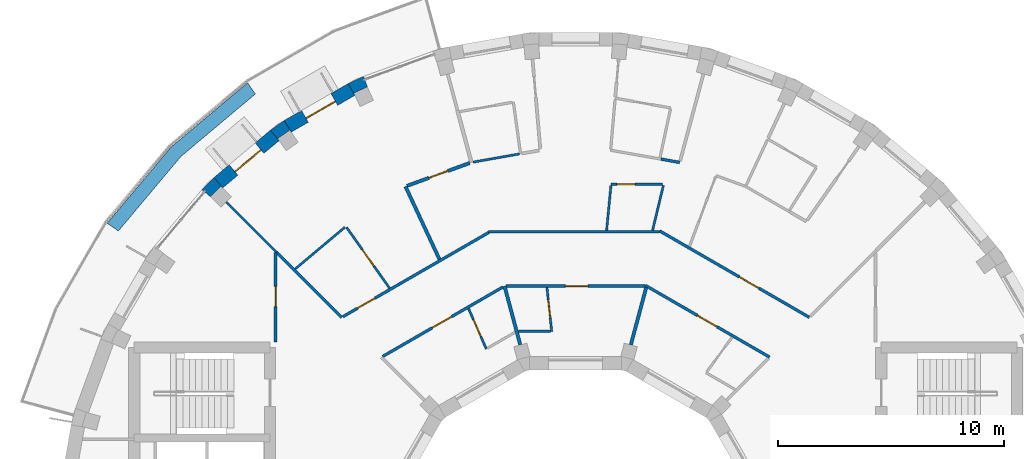
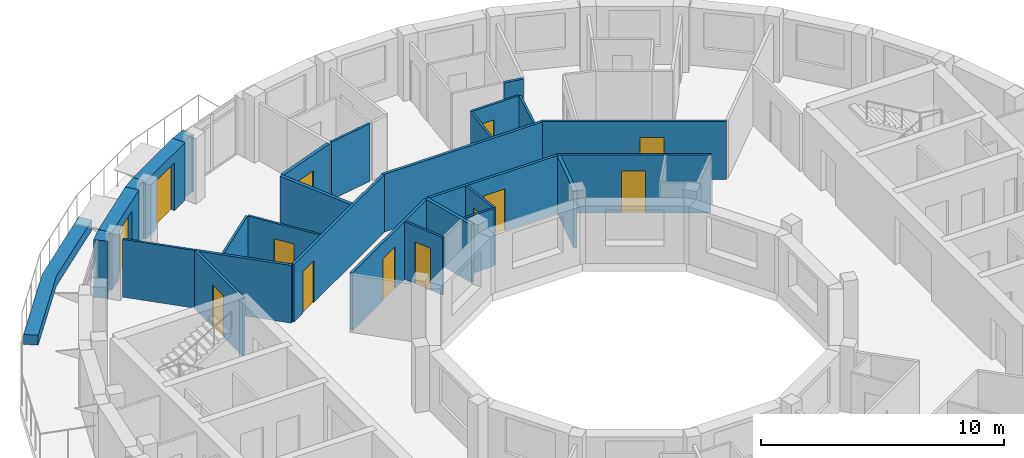
# One storey, part 9 of 12: 29 walls, 13 doors, 13 openings.
"""IFC4 building model written with IfcOpenShell, lengths in metres."""

import ifcopenshell
import ifcopenshell.guid

model = None  # the IFC model being written
_history = None  # IfcOwnerHistory: only IFC2X3 demands one
_inside = {}  # id of a spatial element -> (the spatial element, [elements in it])
_under = {}  # id of a project, library or spatial element -> (it, [spatial elements below it])
_declared = {}  # id of a project -> (the project, [libraries it declares])
_typed = {}  # id of a type object -> (the type object, [elements of that type])
_made_of = {}  # id of a material, layer set ... -> (it, [elements and type objects made of it])


def new_model(schema):
    """Start an empty IFC model of exactly this schema.

    Asked for "IFC4X3", IfcOpenShell would pick the latest addendum, in which some entities
    have other attributes; the version numbers below select the first issue.
    IFC2X3 requires an IfcOwnerHistory on every rooted entity: one is made here for all.
    """
    global model, _history
    if schema == "IFC4X3":
        model = ifcopenshell.file(schema_version=(4, 3, 0, 0))
    else:
        model = ifcopenshell.file(schema=schema)
    _inside.clear()
    _under.clear()
    _declared.clear()
    _typed.clear()
    _made_of.clear()
    _history = None
    if model.schema == "IFC2X3":
        org = make("IfcOrganization", Name="unknown")
        user = make(
            "IfcPersonAndOrganization",
            ThePerson=make("IfcPerson", FamilyName="unknown"),
            TheOrganization=org,
        )
        app = make(
            "IfcApplication",
            ApplicationDeveloper=org,
            Version="unknown",
            ApplicationFullName="unknown",
            ApplicationIdentifier="unknown",
        )
        _history = make(
            "IfcOwnerHistory",
            OwningUser=user,
            OwningApplication=app,
            ChangeAction="ADDED",
            CreationDate=0,
        )
    return model


def make(cls, **values):
    """One entity of the class cls with the attributes given. An attribute that is None is left unset."""
    return model.create_entity(
        cls, **{name: value for name, value in values.items() if value is not None}
    )


def rooted(cls, **values):
    """An entity with a GlobalId (a new one), such as an element, a storey or a relation."""
    return make(cls, GlobalId=ifcopenshell.guid.new(), OwnerHistory=_history, **values)


def si_unit(unit_type, name, prefix=None):
    """IfcSIUnit, for example si_unit("LENGTHUNIT", "METRE", prefix="MILLI")."""
    return make("IfcSIUnit", UnitType=unit_type, Prefix=prefix, Name=name)


def assignment(units):
    """IfcUnitAssignment: the units of a project."""
    return None if units is None else make("IfcUnitAssignment", Units=units)


def point(xyz):
    """IfcCartesianPoint."""
    return None if xyz is None else make("IfcCartesianPoint", Coordinates=xyz)


def direction(xyz):
    """IfcDirection."""
    return None if xyz is None else make("IfcDirection", DirectionRatios=xyz)


def frame(location, z_axis=None, x_axis=None):
    """IfcAxis2Placement3D, a coordinate frame: its origin and axes. An axis left out is left unset."""
    return make(
        "IfcAxis2Placement3D",
        Location=point(location),
        Axis=direction(z_axis),
        RefDirection=direction(x_axis),
    )


def frame_2d(location, x_axis=None):
    """IfcAxis2Placement2D, a coordinate frame in the plane: its origin and x axis."""
    return make(
        "IfcAxis2Placement2D", Location=point(location), RefDirection=direction(x_axis)
    )


def origin():
    """The frame at (0, 0, 0) with its axes left unset."""
    return frame((0.0, 0.0, 0.0))


def place(relative_to, where):
    """IfcLocalPlacement: puts the frame where relative to a parent placement (None: the world)."""
    return make(
        "IfcLocalPlacement", PlacementRelTo=relative_to, RelativePlacement=where
    )


def context(
    kind, dimensions, precision=None, world=None, true_north=None, identifier=None
):
    """IfcGeometricRepresentationContext, for example the 3D "Model" context."""
    return make(
        "IfcGeometricRepresentationContext",
        ContextIdentifier=identifier,
        ContextType=kind,
        CoordinateSpaceDimension=dimensions,
        Precision=precision,
        WorldCoordinateSystem=world,
        TrueNorth=true_north,
    )


def subcontext(parent, identifier, kind, view, scale=None):
    """IfcGeometricRepresentationSubContext, for example "Body" below "Model"."""
    return make(
        "IfcGeometricRepresentationSubContext",
        ContextIdentifier=identifier,
        ContextType=kind,
        ParentContext=parent,
        TargetScale=scale,
        TargetView=view,
    )


def project(units=None, contexts=None):
    """IfcProject with its units and contexts."""
    return rooted(
        "IfcProject",
        Name="project",
        RepresentationContexts=contexts,
        UnitsInContext=assignment(units),
    )


def spatial(cls, under=None, at=None, **own):
    """A site, building, storey or space (cls), placed at a placement, below another one or the project."""
    s = rooted(cls, ObjectPlacement=at, **own)
    if under is not None:
        _under.setdefault(under.id(), (under, []))[1].append(s)
    return s


def polyline(points):
    """IfcPolyline through the points."""
    return make("IfcPolyline", Points=[point(p) for p in points])


def profile(cls, at=None, kind="AREA", **sizes):
    """A parametric profile (cls). Its sizes go by their IFC names, for example OverallWidth=200.0."""
    return make(cls, ProfileType=kind, Position=at, **sizes)


def rectangle(**sizes):
    """IfcRectangleProfileDef."""
    return profile("IfcRectangleProfileDef", **sizes)


def outline(outer, holes=None, kind="AREA"):
    """IfcArbitraryClosedProfileDef: a profile drawn as a closed curve; with holes, ...WithVoids."""
    if holes is None:
        return make("IfcArbitraryClosedProfileDef", ProfileType=kind, OuterCurve=outer)
    return make(
        "IfcArbitraryProfileDefWithVoids",
        ProfileType=kind,
        OuterCurve=outer,
        InnerCurves=holes,
    )


def extrude(swept, where, along, depth):
    """IfcExtrudedAreaSolid: the profile swept, set in the frame where, extruded along a direction by depth."""
    return make(
        "IfcExtrudedAreaSolid",
        SweptArea=swept,
        Position=where,
        ExtrudedDirection=direction(along),
        Depth=depth,
    )


def shape(context_of_items, identifier, shape_type, items):
    """IfcShapeRepresentation: the items that make up one representation, for example the "Body"."""
    return make(
        "IfcShapeRepresentation",
        ContextOfItems=context_of_items,
        RepresentationIdentifier=identifier,
        RepresentationType=shape_type,
        Items=items,
    )


def material(Name=None, Category=None):
    """IfcMaterial."""
    return make("IfcMaterial", Name=Name, Category=Category)


def layer(
    of_material, thickness, ventilated=None, Name=None, Category=None, Priority=None
):
    """IfcMaterialLayer: one layer of a wall or slab, of a material (None: an air gap)."""
    return make(
        "IfcMaterialLayer",
        Material=of_material,
        LayerThickness=thickness,
        IsVentilated=ventilated,
        Name=Name,
        Category=Category,
        Priority=Priority,
    )


def layer_set(layers, Name=None):
    """IfcMaterialLayerSet."""
    return make("IfcMaterialLayerSet", MaterialLayers=layers, LayerSetName=Name)


def made_of(thing, what):
    """Note that an element or type object is made of a material, layer set ...; save() writes the relation."""
    if what is not None:
        _made_of.setdefault(what.id(), (what, []))[1].append(thing)
    return thing


def type_object(cls, material=None, **own):
    """A type object (cls), such as IfcWallType, which elements share."""
    return made_of(rooted(cls, **own), material)


def element(
    cls,
    number,
    at=None,
    inside=None,
    cuts=None,
    type_object=None,
    material=None,
    context=None,
    identifier="Body",
    shape_type=None,
    held_by="IfcProductDefinitionShape",
    body=None,
    shapes=None,
    **own,
):
    """One element of the class cls, such as IfcWall. Its Tag is "e" and its number.

    at: its placement. inside: the storey or other place that contains it. cuts: it is an
    opening in that element (IfcRelVoidsElement). A single representation is given by context,
    identifier, shape_type and body (its items); several are given by shapes. held_by: the class
    of the entity that holds the representations. save() writes the other relations.
    """
    e = rooted(cls, Tag="e%d" % number, ObjectPlacement=at, **own)
    if body is not None:
        shapes = [shape(context, identifier, shape_type, body)]
    if shapes is not None:
        e.Representation = make(held_by, Representations=shapes)
    if inside is not None:
        _inside.setdefault(inside.id(), (inside, []))[1].append(e)
    if cuts is not None:
        rooted(
            "IfcRelVoidsElement", RelatingBuildingElement=cuts, RelatedOpeningElement=e
        )
    if type_object is not None:
        _typed.setdefault(type_object.id(), (type_object, []))[1].append(e)
    return made_of(e, material)


def fill(opening, filler):
    """IfcRelFillsElement: the door or window that sits in an opening."""
    return rooted(
        "IfcRelFillsElement",
        RelatingOpeningElement=opening,
        RelatedBuildingElement=filler,
    )


def aggregate(whole, parts):
    """IfcRelAggregates: a whole, such as a stair, and the parts it consists of."""
    return rooted("IfcRelAggregates", RelatingObject=whole, RelatedObjects=parts)


def save(model, path):
    """Write the relations noted so far, then the file.

    IfcRelAggregates (storeys below a building ...), IfcRelContainedInSpatialStructure (elements
    in a storey), IfcRelDefinesByType, IfcRelAssociatesMaterial and IfcRelDeclares: one each for
    every whole, place, type object, material and project.
    """
    for whole, parts in _under.values():
        aggregate(whole, parts)
    for where, things in _inside.values():
        rooted(
            "IfcRelContainedInSpatialStructure",
            RelatedElements=things,
            RelatingStructure=where,
        )
    for kind, things in _typed.values():
        rooted("IfcRelDefinesByType", RelatedObjects=things, RelatingType=kind)
    for what, things in _made_of.values():
        rooted("IfcRelAssociatesMaterial", RelatedObjects=things, RelatingMaterial=what)
    for by, libraries in _declared.values():
        rooted("IfcRelDeclares", RelatingContext=by, RelatedDefinitions=libraries)
    model.write(path)


model = new_model("IFC4")

# Units and contexts
model_context = context("Model", 3, precision=1e-05, world=origin(), true_north=direction((0.0, 1.0)))
body_context = subcontext(model_context, "Body", "Model", "MODEL_VIEW")
ifc_project = project(units=[si_unit("LENGTHUNIT", "METRE"), si_unit("AREAUNIT", "SQUARE_METRE"), si_unit("VOLUMEUNIT", "CUBIC_METRE"), si_unit("PLANEANGLEUNIT", "RADIAN"), si_unit("MASSUNIT", "GRAM", prefix="KILO")], contexts=[model_context])

# Site, building, storey
site_placement = place(None, origin())
site = spatial("IfcSite", under=ifc_project, at=site_placement, CompositionType="ELEMENT")
building_placement = place(site_placement, origin())
building = spatial("IfcBuilding", under=site, at=building_placement, Name="Saqina Gate Tower", CompositionType="ELEMENT")
storey_placement = place(building_placement, frame((0.0, 0.0, 236.300048828125)))
storey = spatial("IfcBuildingStorey", under=building, at=storey_placement, Name="L67", CompositionType="ELEMENT", Elevation=236.300048828125)

# Walls
ifc_material_1 = material(Name="Brick masonry (buff)", Category="masonry")
wall_type_1 = type_object("IfcWallType", Name="BRICK PIER COPING BUFF", PredefinedType="SOLIDWALL", material=ifc_material_1)
wall_1_placement = place(storey_placement, origin())
element("IfcWall", 1, at=wall_1_placement, inside=storey, type_object=wall_type_1, Name="Pier cap L67 column 12", PredefinedType="SOLIDWALL", context=body_context, shape_type="SweptSolid", body=[
    extrude(outline(polyline([(-9.3642578125, 20.974609375), (-10.048095703125, 20.65576171875), (-9.748291015625, 20.135986328125), (-9.79296875, 20.23193359375), (-9.203857421875, 20.506591796875), (-9.1591796875, 20.410888671875), (-9.3642578125, 20.974609375)])), origin(), (0.0, 0.0, 1.0), 2.89990234375),
])
wall_2_placement = place(storey_placement, origin())
element("IfcWall", 2, at=wall_2_placement, inside=storey, type_object=wall_type_1, Name="Pier cap L67 column 13", PredefinedType="SOLIDWALL", context=body_context, shape_type="SweptSolid", body=[
    extrude(outline(polyline([(-12.8642578125, 19.02978515625), (-13.482421875, 18.59716796875), (-13.0966796875, 18.137451171875), (-13.157470703125, 18.22412109375), (-12.625, 18.596923828125), (-12.564208984375, 18.51025390625), (-12.8642578125, 19.02978515625)])), origin(), (0.0, 0.0, 1.0), 2.89990234375),
])
wall_3_placement = place(storey_placement, origin())
element("IfcWall", 3, at=wall_3_placement, inside=storey, type_object=wall_type_1, Name="Pier cap L67 column 14", PredefinedType="SOLIDWALL", context=body_context, shape_type="SweptSolid", body=[
    extrude(outline(polyline([(-16.5068359375, 15.973388671875), (-16.04736328125, 15.587646484375), (-16.1220703125, 15.662353515625), (-15.662353515625, 16.1220703125), (-15.587646484375, 16.04736328125), (-15.973388671875, 16.5068359375), (-16.5068359375, 15.973388671875)])), origin(), (0.0, 0.0, 1.0), 2.89990234375),
])

# Wall, opening, door
ifc_material_2 = material(Name="Brick masonry (buff)", Category="masonry")
ifc_layer_1 = layer(ifc_material_2, 0.60009765625)
ifc_layer_set_1 = layer_set([ifc_layer_1], Name="FW-BRICK-BUFF")
wall_type_2 = type_object("IfcWallType", Name="FW-BRICK-BUFF", PredefinedType="SOLIDWALL", material=ifc_layer_set_1)
wall_4_placement = place(storey_placement, frame((-9.898193359375, 20.39599609375, 0.0), z_axis=(0.0, 0.0, 1.0), x_axis=(-0.866016800201, -0.500014901547, 0.0)))
wall_4 = element("IfcWall", 4, at=wall_4_placement, inside=storey, type_object=wall_type_2, Name="Facade wall L67 facet 12", PredefinedType="SOLIDWALL", context=body_context, shape_type="SweptSolid", body=[
    extrude(rectangle(XDim=3.251953125, YDim=0.60009765625, at=frame_2d((1.6259765625, 0.0))), origin(), (0.0, 0.0, 1.0), 2.89990234375),
])
opening_1_placement = place(wall_4_placement, frame((0.875732421875, 0.0, 0.0)))
opening_1 = element("IfcOpeningElement", 5, at=opening_1_placement, cuts=wall_4, Name="Opening G19-D80", PredefinedType="OPENING", context=body_context, shape_type="SweptSolid", body=[
    extrude(rectangle(XDim=1.5, YDim=2.39990234375, at=frame_2d((0.75, 1.199951171875))), frame((0.0, 0.31201171875, 0.0), z_axis=(0.0, -1.0, 0.0), x_axis=(1.0, 0.0, 0.0)), (0.0, 0.0, 1.0), 0.6240234375),
])
ifc_material_3 = material(Name="Aluminium glazing", Category="aluminium")
door_type_1 = type_object("IfcDoorType", Name="GD-D", OperationType="DOUBLE_DOOR_SINGLE_SWING", PredefinedType="DOOR", material=ifc_material_3)
door_1_placement = place(opening_1_placement, origin())
door_1 = element("IfcDoor", 6, at=door_1_placement, inside=storey, type_object=door_type_1, Name="Terrace door L67 facet 12", OperationType="DOUBLE_DOOR_SINGLE_SWING", OverallHeight=2.39990234375, OverallWidth=1.5, PredefinedType="DOOR", context=body_context, shape_type="SweptSolid", body=[
    extrude(rectangle(XDim=1.5, YDim=2.39990234375, at=frame_2d((0.75, 1.199951171875))), frame((0.0, 0.125, 0.0), z_axis=(0.0, -1.0, 0.0), x_axis=(1.0, 0.0, 0.0)), (0.0, 0.0, 1.0), 0.050048828125),
])
fill(opening_1, door_1)

wall_5_placement = place(storey_placement, frame((-13.28955078125, 18.3671875, 0.0), z_axis=(0.0, 0.0, 1.0), x_axis=(-0.766056773982, -0.64277291405, 0.0)))
wall_5 = element("IfcWall", 7, at=wall_5_placement, inside=storey, type_object=wall_type_2, Name="Facade wall L67 facet 13", PredefinedType="SOLIDWALL", context=body_context, shape_type="SweptSolid", body=[
    extrude(rectangle(XDim=3.251708984375, YDim=0.60009765625, at=frame_2d((1.6259765625, 0.0))), origin(), (0.0, 0.0, 1.0), 2.89990234375),
])
opening_2_placement = place(wall_5_placement, frame((0.875732421875, 0.0, 0.0)))
opening_2 = element("IfcOpeningElement", 8, at=opening_2_placement, cuts=wall_5, Name="Opening G19-D81", PredefinedType="OPENING", context=body_context, shape_type="SweptSolid", body=[
    extrude(rectangle(XDim=1.5, YDim=2.39990234375, at=frame_2d((0.75, 1.199951171875))), frame((0.0, 0.31201171875, 0.0), z_axis=(0.0, -1.0, 0.0), x_axis=(1.0, 0.0, 0.0)), (0.0, 0.0, 1.0), 0.6240234375),
])
door_2_placement = place(opening_2_placement, origin())
door_2 = element("IfcDoor", 9, at=door_2_placement, inside=storey, type_object=door_type_1, Name="Terrace door L67 facet 13", OperationType="DOUBLE_DOOR_SINGLE_SWING", OverallHeight=2.39990234375, OverallWidth=1.5, PredefinedType="DOOR", context=body_context, shape_type="SweptSolid", body=[
    extrude(rectangle(XDim=1.5, YDim=2.39990234375, at=frame_2d((0.75, 1.199951171875))), frame((0.0, 0.125, 0.0), z_axis=(0.0, -1.0, 0.0), x_axis=(1.0, 0.0, 0.0)), (0.0, 0.0, 1.0), 0.050048828125),
])
fill(opening_2, door_2)

ifc_material_4 = material(Name="Gypsum board on steel studs, 100 mm", Category="steel")
ifc_layer_2 = layer(ifc_material_4, 0.10009765625)
ifc_layer_set_2 = layer_set([ifc_layer_2], Name="PARTITION 100")
wall_type_3 = type_object("IfcWallType", Name="PARTITION 100", PredefinedType="PARTITIONING", material=ifc_layer_set_2)
wall_6_placement = place(storey_placement, frame((-1.26416015625, 11.64794921875, 0.0), z_axis=(0.0, 0.0, 1.0), x_axis=(0.107833146159, -0.99416900605, 0.0)))
wall_6 = element("IfcWall", 10, at=wall_6_placement, inside=storey, type_object=wall_type_3, Name="PARTITION PW3-01", PredefinedType="PARTITIONING", context=body_context, shape_type="SweptSolid", body=[
    extrude(rectangle(XDim=1.949462890625, YDim=0.10009765625, at=frame_2d((0.974609375, 0.0))), origin(), (0.0, 0.0, 1.0), 2.89990234375),
])
opening_3_placement = place(wall_6_placement, frame((0.54345703125, 0.0, 0.0)))
opening_3 = element("IfcOpeningElement", 11, at=opening_3_placement, cuts=wall_6, Name="Opening G19-D14", PredefinedType="OPENING", context=body_context, shape_type="SweptSolid", body=[
    extrude(rectangle(XDim=0.800048828125, YDim=2.10009765625, at=frame_2d((0.39990234375, 1.050048828125))), frame((0.0, 0.06201171875, 0.0), z_axis=(0.0, -1.0, 0.0), x_axis=(1.0, 0.0, 0.0)), (0.0, 0.0, 1.0), 0.1240234375),
])
ifc_material_5 = material(Name="Timber door leaf, 800 mm", Category="wood")
door_type_2 = type_object("IfcDoorType", Name="DOOR 800 TIMBER", OperationType="SINGLE_SWING_LEFT", PredefinedType="DOOR", material=ifc_material_5)
door_3_placement = place(opening_3_placement, origin())
door_3 = element("IfcDoor", 12, at=door_3_placement, inside=storey, type_object=door_type_2, Name="DOOR G19-D14", OperationType="SINGLE_SWING_LEFT", OverallHeight=2.10009765625, OverallWidth=0.800048828125, PredefinedType="DOOR", context=body_context, shape_type="SweptSolid", body=[
    extrude(rectangle(XDim=0.800048828125, YDim=2.10009765625, at=frame_2d((0.39990234375, 1.050048828125))), frame((0.0, 0.02490234375, 0.0), z_axis=(0.0, -1.0, 0.0), x_axis=(1.0, 0.0, 0.0)), (0.0, 0.0, 1.0), 0.050048828125),
])
fill(opening_3, door_3)

wall_7_placement = place(storey_placement, frame((-4.729736328125, 10.71875, 0.0), z_axis=(0.0, 0.0, 1.0), x_axis=(0.403695730551, -0.914893303689, 0.0)))
wall_7 = element("IfcWall", 13, at=wall_7_placement, inside=storey, type_object=wall_type_3, Name="PARTITION PW3-05", PredefinedType="PARTITIONING", context=body_context, shape_type="SweptSolid", body=[
    extrude(rectangle(XDim=1.948486328125, YDim=0.10009765625, at=frame_2d((0.97412109375, 0.0))), origin(), (0.0, 0.0, 1.0), 2.89990234375),
])
opening_4_placement = place(wall_7_placement, frame((0.543212890625, 0.0, 0.0)))
opening_4 = element("IfcOpeningElement", 14, at=opening_4_placement, cuts=wall_7, Name="Opening G19-D17", PredefinedType="OPENING", context=body_context, shape_type="SweptSolid", body=[
    extrude(rectangle(XDim=0.800048828125, YDim=2.10009765625, at=frame_2d((0.39990234375, 1.050048828125))), frame((0.0, 0.06201171875, 0.0), z_axis=(0.0, -1.0, 0.0), x_axis=(1.0, 0.0, 0.0)), (0.0, 0.0, 1.0), 0.1240234375),
])
door_4_placement = place(opening_4_placement, frame((0.800048828125, 0.0, 0.0), z_axis=(0.0, 0.0, 1.0), x_axis=(-1.0, 0.0, 0.0)))
door_4 = element("IfcDoor", 15, at=door_4_placement, inside=storey, type_object=door_type_2, Name="DOOR G19-D17", OperationType="SINGLE_SWING_RIGHT", OverallHeight=2.10009765625, OverallWidth=0.800048828125, PredefinedType="DOOR", context=body_context, shape_type="SweptSolid", body=[
    extrude(rectangle(XDim=0.800048828125, YDim=2.10009765625, at=frame_2d((0.39990234375, 1.050048828125))), frame((0.0, 0.02490234375, 0.0), z_axis=(0.0, -1.0, 0.0), x_axis=(1.0, 0.0, 0.0)), (0.0, 0.0, 1.0), 0.050048828125),
])
fill(opening_4, door_4)

wall_8_placement = place(storey_placement, frame((-10.11572265625, 14.30517578125, 0.0), z_axis=(0.0, 0.0, 1.0), x_axis=(0.577184589489, -0.816613708957, 0.0)))
wall_8 = element("IfcWall", 16, at=wall_8_placement, inside=storey, type_object=wall_type_3, Name="PARTITION PW3-10", PredefinedType="PARTITIONING", context=body_context, shape_type="SweptSolid", body=[
    extrude(rectangle(XDim=3.287353515625, YDim=0.10009765625, at=frame_2d((1.6435546875, 0.0))), origin(), (0.0, 0.0, 1.0), 2.89990234375),
])
opening_5_placement = place(wall_8_placement, frame((1.199951171875, 0.0, 0.0)))
opening_5 = element("IfcOpeningElement", 17, at=opening_5_placement, cuts=wall_8, Name="Opening G19-D19", PredefinedType="OPENING", context=body_context, shape_type="SweptSolid", body=[
    extrude(rectangle(XDim=0.89990234375, YDim=2.10009765625, at=frame_2d((0.449951171875, 1.050048828125))), frame((0.0, 0.06201171875, 0.0), z_axis=(0.0, -1.0, 0.0), x_axis=(1.0, 0.0, 0.0)), (0.0, 0.0, 1.0), 0.1240234375),
])
ifc_material_6 = material(Name="Timber door leaf, 900 mm", Category="wood")
door_type_3 = type_object("IfcDoorType", Name="DOOR 900 TIMBER", OperationType="SINGLE_SWING_LEFT", PredefinedType="DOOR", material=ifc_material_6)
door_5_placement = place(opening_5_placement, origin())
door_5 = element("IfcDoor", 18, at=door_5_placement, inside=storey, type_object=door_type_3, Name="DOOR G19-D19", OperationType="SINGLE_SWING_RIGHT", OverallHeight=2.10009765625, OverallWidth=0.89990234375, PredefinedType="DOOR", context=body_context, shape_type="SweptSolid", body=[
    extrude(rectangle(XDim=0.89990234375, YDim=2.10009765625, at=frame_2d((0.449951171875, 1.050048828125))), frame((0.0, 0.02490234375, 0.0), z_axis=(0.0, -1.0, 0.0), x_axis=(1.0, 0.0, 0.0)), (0.0, 0.0, 1.0), 0.050048828125),
])
fill(opening_5, door_5)

# Walls
wall_9_placement = place(storey_placement, frame((-15.425537109375, 15.425537109375, 0.0), z_axis=(0.0, 0.0, 1.0), x_axis=(0.707106781187, -0.707106781187, 0.0)))
element("IfcWall", 19, at=wall_9_placement, inside=storey, type_object=wall_type_3, Name="PARTITION PW3-12", PredefinedType="PARTITIONING", context=body_context, shape_type="SweptSolid", body=[
    extrude(rectangle(XDim=3.126708984375, YDim=0.10009765625, at=frame_2d((1.5634765625, 0.0))), origin(), (0.0, 0.0, 1.0), 2.89990234375),
])
wall_10_placement = place(storey_placement, frame((-2.527099609375, 9.7099609375, 0.0), z_axis=(0.0, 0.0, 1.0), x_axis=(1.0, 0.0, 0.0)))
element("IfcWall", 20, at=wall_10_placement, inside=storey, type_object=wall_type_3, Name="PARTITION PW3-27", PredefinedType="PARTITIONING", context=body_context, shape_type="SweptSolid", body=[
    extrude(rectangle(XDim=1.423095703125, YDim=0.10009765625, at=frame_2d((0.71142578125, 0.0))), origin(), (0.0, 0.0, 1.0), 2.89990234375),
])

# Wall, opening, door
wall_11_placement = place(storey_placement, frame((1.571044921875, 16.2099609375, 0.0), z_axis=(0.0, 0.0, 1.0), x_axis=(1.0, 0.0, 0.0)))
wall_11 = element("IfcWall", 21, at=wall_11_placement, inside=storey, type_object=wall_type_3, Name="PARTITION PW3-28", PredefinedType="PARTITIONING", context=body_context, shape_type="SweptSolid", body=[
    extrude(rectangle(XDim=2.26806640625, YDim=0.10009765625, at=frame_2d((1.134033203125, 0.0))), origin(), (0.0, 0.0, 1.0), 2.89990234375),
])
opening_6_placement = place(wall_11_placement, frame((0.259033203125, 0.0, 0.0)))
opening_6 = element("IfcOpeningElement", 22, at=opening_6_placement, cuts=wall_11, Name="Opening G19-D10", PredefinedType="OPENING", context=body_context, shape_type="SweptSolid", body=[
    extrude(rectangle(XDim=0.800048828125, YDim=2.10009765625, at=frame_2d((0.39990234375, 1.050048828125))), frame((0.0, 0.06201171875, 0.0), z_axis=(0.0, -1.0, 0.0), x_axis=(1.0, 0.0, 0.0)), (0.0, 0.0, 1.0), 0.1240234375),
])
door_6_placement = place(opening_6_placement, origin())
door_6 = element("IfcDoor", 23, at=door_6_placement, inside=storey, type_object=door_type_2, Name="DOOR G19-D10", OperationType="SINGLE_SWING_LEFT", OverallHeight=2.10009765625, OverallWidth=0.800048828125, PredefinedType="DOOR", context=body_context, shape_type="SweptSolid", body=[
    extrude(rectangle(XDim=0.800048828125, YDim=2.10009765625, at=frame_2d((0.39990234375, 1.050048828125))), frame((0.0, 0.02490234375, 0.0), z_axis=(0.0, -1.0, 0.0), x_axis=(1.0, 0.0, 0.0)), (0.0, 0.0, 1.0), 0.050048828125),
])
fill(opening_6, door_6)

# Walls
wall_12_placement = place(storey_placement, frame((-4.528076171875, 17.18701171875, 0.0), z_axis=(0.0, 0.0, 1.0), x_axis=(0.984788286148, 0.173758543574, 0.0)))
element("IfcWall", 24, at=wall_12_placement, inside=storey, type_object=wall_type_3, Name="PARTITION PW3-29", PredefinedType="PARTITIONING", context=body_context, shape_type="SweptSolid", body=[
    extrude(rectangle(XDim=2.07958984375, YDim=0.10009765625, at=frame_2d((1.039794921875, 0.0))), origin(), (0.0, 0.0, 1.0), 2.89990234375),
])
wall_13_placement = place(storey_placement, frame((-12.382080078125, 12.47021484375, 0.0), z_axis=(0.0, 0.0, 1.0), x_axis=(0.765817138438, 0.643058403627, 0.0)))
element("IfcWall", 25, at=wall_13_placement, inside=storey, type_object=wall_type_3, Name="PARTITION PW3-38", PredefinedType="PARTITIONING", context=body_context, shape_type="SweptSolid", body=[
    extrude(rectangle(XDim=2.869873046875, YDim=0.10009765625, at=frame_2d((1.43505859375, 0.0))), origin(), (0.0, 0.0, 1.0), 2.89990234375),
])
wall_14_placement = place(storey_placement, frame((3.402587890625, 14.170654296875, 0.0), z_axis=(0.0, 0.0, 1.0), x_axis=(0.233377462785, 0.972386219495, 0.0)))
element("IfcWall", 26, at=wall_14_placement, inside=storey, type_object=wall_type_3, Name="PARTITION PW3-49", PredefinedType="PARTITIONING", context=body_context, shape_type="SweptSolid", body=[
    extrude(rectangle(XDim=2.04736328125, YDim=0.10009765625, at=frame_2d((1.023681640625, 0.0))), origin(), (0.0, 0.0, 1.0), 2.89990234375),
])
wall_15_placement = place(storey_placement, frame((1.3720703125, 14.172119140625, 0.0), z_axis=(0.0, 0.0, 1.0), x_axis=(0.096199186447, 0.99536210322, 0.0)))
element("IfcWall", 27, at=wall_15_placement, inside=storey, type_object=wall_type_3, Name="PARTITION PW3-54", PredefinedType="PARTITIONING", context=body_context, shape_type="SweptSolid", body=[
    extrude(rectangle(XDim=1.997314453125, YDim=0.10009765625, at=frame_2d((0.99853515625, 0.0))), origin(), (0.0, 0.0, 1.0), 2.89990234375),
])
ifc_material_7 = material(Name="Gypsum board on steel studs, 125 mm, fire rated", Category="steel")
ifc_layer_3 = layer(ifc_material_7, 0.125)
ifc_layer_set_3 = layer_set([ifc_layer_3], Name="PARTITION EI 30 125")
wall_type_4 = type_object("IfcWallType", Name="PARTITION EI 30 125", PredefinedType="PARTITIONING", material=ifc_layer_set_3)
wall_16_placement = place(storey_placement, frame((-13.214599609375, 13.214599609375, 0.0), z_axis=(0.0, 0.0, 1.0), x_axis=(0.707106781187, -0.707106781187, 0.0)))
element("IfcWall", 28, at=wall_16_placement, inside=storey, type_object=wall_type_4, Name="PARTITION PW1-04", PredefinedType="PARTITIONING", context=body_context, shape_type="SweptSolid", body=[
    extrude(rectangle(XDim=4.080810546875, YDim=0.125, at=frame_2d((2.04052734375, 0.0))), origin(), (0.0, 0.0, 1.0), 2.89990234375),
])

# Wall, opening, door
wall_17_placement = place(storey_placement, frame((3.075439453125, 11.74609375, 0.0), z_axis=(0.0, 0.0, 1.0), x_axis=(0.865983161714, -0.500073158277, 0.0)))
wall_17 = element("IfcWall", 29, at=wall_17_placement, inside=storey, type_object=wall_type_4, Name="PARTITION PW1-11", PredefinedType="PARTITIONING", context=body_context, shape_type="SweptSolid", body=[
    extrude(rectangle(XDim=6.34716796875, YDim=0.125, at=frame_2d((3.173583984375, 0.0))), origin(), (0.0, 0.0, 1.0), 2.89990234375),
])
opening_7_placement = place(wall_17_placement, frame((2.65869140625, 0.0, 0.0)))
opening_7 = element("IfcOpeningElement", 30, at=opening_7_placement, cuts=wall_17, Name="Opening G19-D05", PredefinedType="OPENING", context=body_context, shape_type="SweptSolid", body=[
    extrude(rectangle(XDim=1.0, YDim=2.10009765625, at=frame_2d((0.5, 1.050048828125))), frame((0.0, 0.074462890625, 0.0), z_axis=(0.0, -1.0, 0.0), x_axis=(1.0, 0.0, 0.0)), (0.0, 0.0, 1.0), 0.14892578125),
])
ifc_material_8 = material(Name="Fire door leaf EI 30, 1000 mm")
door_type_4 = type_object("IfcDoorType", Name="DOOR 1000 EI 30", OperationType="SINGLE_SWING_LEFT", PredefinedType="DOOR", material=ifc_material_8)
door_7_placement = place(opening_7_placement, frame((1.0, 0.0, 0.0), z_axis=(0.0, 0.0, 1.0), x_axis=(-1.0, 0.0, 0.0)))
door_7 = element("IfcDoor", 31, at=door_7_placement, inside=storey, type_object=door_type_4, Name="DOOR G19-D05", OperationType="SINGLE_SWING_RIGHT", OverallHeight=2.10009765625, OverallWidth=1.0, PredefinedType="DOOR", context=body_context, shape_type="SweptSolid", body=[
    extrude(rectangle(XDim=1.0, YDim=2.10009765625, at=frame_2d((0.5, 1.050048828125))), frame((0.0, 0.02490234375, 0.0), z_axis=(0.0, -1.0, 0.0), x_axis=(1.0, 0.0, 0.0)), (0.0, 0.0, 1.0), 0.050048828125),
])
fill(opening_7, door_7)

wall_18_placement = place(storey_placement, frame((3.717529296875, 14.146728515625, 0.0), z_axis=(0.0, 0.0, 1.0), x_axis=(0.866000791713, -0.500042626935, 0.0)))
wall_18 = element("IfcWall", 32, at=wall_18_placement, inside=storey, type_object=wall_type_4, Name="PARTITION PW1-12", PredefinedType="PARTITIONING", context=body_context, shape_type="SweptSolid", body=[
    extrude(rectangle(XDim=7.634521484375, YDim=0.125, at=frame_2d((3.8173828125, 0.0))), origin(), (0.0, 0.0, 1.0), 2.89990234375),
])
opening_8_placement = place(wall_18_placement, frame((4.064208984375, 0.0, 0.0)))
opening_8 = element("IfcOpeningElement", 33, at=opening_8_placement, cuts=wall_18, Name="Opening G19-D04", PredefinedType="OPENING", context=body_context, shape_type="SweptSolid", body=[
    extrude(rectangle(XDim=1.0, YDim=2.10009765625, at=frame_2d((0.5, 1.050048828125))), frame((0.0, 0.074462890625, 0.0), z_axis=(0.0, -1.0, 0.0), x_axis=(1.0, 0.0, 0.0)), (0.0, 0.0, 1.0), 0.14892578125),
])
door_8_placement = place(opening_8_placement, origin())
door_8 = element("IfcDoor", 34, at=door_8_placement, inside=storey, type_object=door_type_4, Name="DOOR G19-D04", OperationType="SINGLE_SWING_RIGHT", OverallHeight=2.10009765625, OverallWidth=1.0, PredefinedType="DOOR", context=body_context, shape_type="SweptSolid", body=[
    extrude(rectangle(XDim=1.0, YDim=2.10009765625, at=frame_2d((0.5, 1.050048828125))), frame((0.0, 0.02490234375, 0.0), z_axis=(0.0, -1.0, 0.0), x_axis=(1.0, 0.0, 0.0)), (0.0, 0.0, 1.0), 0.050048828125),
])
fill(opening_8, door_8)

# Wall
wall_19_placement = place(storey_placement, frame((3.769287109375, 17.3212890625, 0.0), z_axis=(0.0, 0.0, 1.0), x_axis=(0.984637698915, -0.174609856179, 0.0)))
element("IfcWall", 35, at=wall_19_placement, inside=storey, type_object=wall_type_4, Name="PARTITION PW1-14", PredefinedType="PARTITIONING", context=body_context, shape_type="SweptSolid", body=[
    extrude(rectangle(XDim=0.844482421875, YDim=0.125, at=frame_2d((0.42236328125, 0.0))), origin(), (0.0, 0.0, 1.0), 2.89990234375),
])

# Wall, opening, door
wall_20_placement = place(storey_placement, frame((-3.06298828125, 11.7099609375, 0.0), z_axis=(0.0, 0.0, 1.0), x_axis=(1.0, 0.0, 0.0)))
wall_20 = element("IfcWall", 36, at=wall_20_placement, inside=storey, type_object=wall_type_4, Name="PARTITION PW1-19", PredefinedType="PARTITIONING", context=body_context, shape_type="SweptSolid", body=[
    extrude(rectangle(XDim=6.138427734375, YDim=0.125, at=frame_2d((3.0693359375, 0.0))), origin(), (0.0, 0.0, 1.0), 2.89990234375),
])
opening_9_placement = place(wall_20_placement, frame((2.613525390625, 0.0, 0.0)))
opening_9 = element("IfcOpeningElement", 37, at=opening_9_placement, cuts=wall_20, Name="Opening G19-D12", PredefinedType="OPENING", context=body_context, shape_type="SweptSolid", body=[
    extrude(rectangle(XDim=1.0, YDim=2.10009765625, at=frame_2d((0.5, 1.050048828125))), frame((0.0, 0.074462890625, 0.0), z_axis=(0.0, -1.0, 0.0), x_axis=(1.0, 0.0, 0.0)), (0.0, 0.0, 1.0), 0.14892578125),
])
door_9_placement = place(opening_9_placement, frame((1.0, 0.0, 0.0), z_axis=(0.0, 0.0, 1.0), x_axis=(-1.0, 0.0, 0.0)))
door_9 = element("IfcDoor", 38, at=door_9_placement, inside=storey, type_object=door_type_4, Name="DOOR G19-D12", OperationType="SINGLE_SWING_LEFT", OverallHeight=2.10009765625, OverallWidth=1.0, PredefinedType="DOOR", context=body_context, shape_type="SweptSolid", body=[
    extrude(rectangle(XDim=1.0, YDim=2.10009765625, at=frame_2d((0.5, 1.050048828125))), frame((0.0, 0.02490234375, 0.0), z_axis=(0.0, -1.0, 0.0), x_axis=(1.0, 0.0, 0.0)), (0.0, 0.0, 1.0), 0.050048828125),
])
fill(opening_9, door_9)

# Wall
wall_21_placement = place(storey_placement, frame((-3.853271484375, 14.110107421875, 0.0), z_axis=(0.0, 0.0, 1.0), x_axis=(1.0, 0.0, 0.0)))
element("IfcWall", 39, at=wall_21_placement, inside=storey, type_object=wall_type_4, Name="PARTITION PW1-20", PredefinedType="PARTITIONING", context=body_context, shape_type="SweptSolid", body=[
    extrude(rectangle(XDim=7.57080078125, YDim=0.125, at=frame_2d((3.785400390625, 0.0))), origin(), (0.0, 0.0, 1.0), 2.89990234375),
])

# Wall, opening, door
wall_22_placement = place(storey_placement, frame((-8.517822265625, 8.603271484375, 0.0), z_axis=(0.0, 0.0, 1.0), x_axis=(0.865972267571, 0.50009202333, 0.0)))
wall_22 = element("IfcWall", 40, at=wall_22_placement, inside=storey, type_object=wall_type_4, Name="PARTITION PW1-27", PredefinedType="PARTITIONING", context=body_context, shape_type="SweptSolid", body=[
    extrude(rectangle(XDim=6.137451171875, YDim=0.125, at=frame_2d((3.06884765625, 0.0))), origin(), (0.0, 0.0, 1.0), 2.89990234375),
])
opening_10_placement = place(wall_22_placement, frame((2.524169921875, 0.0, 0.0)))
opening_10 = element("IfcOpeningElement", 41, at=opening_10_placement, cuts=wall_22, Name="Opening G19-D18", PredefinedType="OPENING", context=body_context, shape_type="SweptSolid", body=[
    extrude(rectangle(XDim=1.0, YDim=2.10009765625, at=frame_2d((0.5, 1.050048828125))), frame((0.0, 0.074462890625, 0.0), z_axis=(0.0, -1.0, 0.0), x_axis=(1.0, 0.0, 0.0)), (0.0, 0.0, 1.0), 0.14892578125),
])
door_10_placement = place(opening_10_placement, frame((1.0, 0.0, 0.0), z_axis=(0.0, 0.0, 1.0), x_axis=(-1.0, 0.0, 0.0)))
door_10 = element("IfcDoor", 42, at=door_10_placement, inside=storey, type_object=door_type_4, Name="DOOR G19-D18", OperationType="SINGLE_SWING_RIGHT", OverallHeight=2.10009765625, OverallWidth=1.0, PredefinedType="DOOR", context=body_context, shape_type="SweptSolid", body=[
    extrude(rectangle(XDim=1.0, YDim=2.10009765625, at=frame_2d((0.5, 1.050048828125))), frame((0.0, 0.02490234375, 0.0), z_axis=(0.0, -1.0, 0.0), x_axis=(1.0, 0.0, 0.0)), (0.0, 0.0, 1.0), 0.050048828125),
])
fill(opening_10, door_10)

wall_23_placement = place(storey_placement, frame((-10.27490234375, 10.3603515625, 0.0), z_axis=(0.0, 0.0, 1.0), x_axis=(0.865993671729, 0.500054957505, 0.0)))
wall_23 = element("IfcWall", 43, at=wall_23_placement, inside=storey, type_object=wall_type_4, Name="PARTITION PW1-28", PredefinedType="PARTITIONING", context=body_context, shape_type="SweptSolid", body=[
    extrude(rectangle(XDim=7.436279296875, YDim=0.125, at=frame_2d((3.71826171875, 0.0))), origin(), (0.0, 0.0, 1.0), 2.89990234375),
])
opening_11_placement = place(wall_23_placement, frame((0.7275390625, 0.0, 0.0)))
opening_11 = element("IfcOpeningElement", 44, at=opening_11_placement, cuts=wall_23, Name="Opening G19-D20", PredefinedType="OPENING", context=body_context, shape_type="SweptSolid", body=[
    extrude(rectangle(XDim=0.89990234375, YDim=2.10009765625, at=frame_2d((0.449951171875, 1.050048828125))), frame((0.0, 0.074462890625, 0.0), z_axis=(0.0, -1.0, 0.0), x_axis=(1.0, 0.0, 0.0)), (0.0, 0.0, 1.0), 0.14892578125),
])
ifc_material_9 = material(Name="Fire door leaf EI 30, 900 mm")
door_type_5 = type_object("IfcDoorType", Name="DOOR 900 EI 30", OperationType="SINGLE_SWING_LEFT", PredefinedType="DOOR", material=ifc_material_9)
door_11_placement = place(opening_11_placement, origin())
door_11 = element("IfcDoor", 45, at=door_11_placement, inside=storey, type_object=door_type_5, Name="DOOR G19-D20", OperationType="SINGLE_SWING_LEFT", OverallHeight=2.10009765625, OverallWidth=0.89990234375, PredefinedType="DOOR", context=body_context, shape_type="SweptSolid", body=[
    extrude(rectangle(XDim=0.89990234375, YDim=2.10009765625, at=frame_2d((0.449951171875, 1.050048828125))), frame((0.0, 0.02490234375, 0.0), z_axis=(0.0, -1.0, 0.0), x_axis=(1.0, 0.0, 0.0)), (0.0, 0.0, 1.0), 0.050048828125),
])
fill(opening_11, door_11)

wall_24_placement = place(storey_placement, frame((-13.25, 9.25, 0.0), z_axis=(0.0, 0.0, 1.0), x_axis=(0.0, 1.0, 0.0)))
wall_24 = element("IfcWall", 46, at=wall_24_placement, inside=storey, type_object=wall_type_4, Name="PARTITION PW1-43", PredefinedType="PARTITIONING", context=body_context, shape_type="SweptSolid", body=[
    extrude(rectangle(XDim=3.9375, YDim=0.125, at=frame_2d((1.96875, 0.0))), origin(), (0.0, 0.0, 1.0), 2.89990234375),
])
opening_12_placement = place(wall_24_placement, frame((1.550048828125, 0.0, 0.0)))
opening_12 = element("IfcOpeningElement", 47, at=opening_12_placement, cuts=wall_24, Name="Opening G19-D21", PredefinedType="OPENING", context=body_context, shape_type="SweptSolid", body=[
    extrude(rectangle(XDim=0.89990234375, YDim=2.10009765625, at=frame_2d((0.449951171875, 1.050048828125))), frame((0.0, 0.074462890625, 0.0), z_axis=(0.0, -1.0, 0.0), x_axis=(1.0, 0.0, 0.0)), (0.0, 0.0, 1.0), 0.14892578125),
])
door_12_placement = place(opening_12_placement, origin())
door_12 = element("IfcDoor", 48, at=door_12_placement, inside=storey, type_object=door_type_5, Name="DOOR G19-D21", OperationType="SINGLE_SWING_RIGHT", OverallHeight=2.10009765625, OverallWidth=0.89990234375, PredefinedType="DOOR", context=body_context, shape_type="SweptSolid", body=[
    extrude(rectangle(XDim=0.89990234375, YDim=2.10009765625, at=frame_2d((0.449951171875, 1.050048828125))), frame((0.0, 0.02490234375, 0.0), z_axis=(0.0, -1.0, 0.0), x_axis=(1.0, 0.0, 0.0)), (0.0, 0.0, 1.0), 0.050048828125),
])
fill(opening_12, door_12)

# Walls
ifc_material_10 = material(Name="Gypsum board on steel studs, 150 mm, fire rated", Category="steel")
ifc_layer_4 = layer(ifc_material_10, 0.14990234375)
ifc_layer_set_4 = layer_set([ifc_layer_4], Name="PARTITION EI 60 150")
wall_type_5 = type_object("IfcWallType", Name="PARTITION EI 60 150", PredefinedType="PARTITIONING", material=ifc_layer_set_4)
wall_25_placement = place(storey_placement, frame((-3.137939453125, 11.7099609375, 0.0), z_axis=(0.0, 0.0, 1.0), x_axis=(0.258807397729, -0.965928947118, 0.0)))
element("IfcWall", 49, at=wall_25_placement, inside=storey, type_object=wall_type_5, Name="PARTITION PW2-03", PredefinedType="PARTITIONING", context=body_context, shape_type="SweptSolid", body=[
    extrude(rectangle(XDim=2.680908203125, YDim=0.14990234375, at=frame_2d((1.34033203125, 0.0))), origin(), (0.0, 0.0, 1.0), 2.89990234375),
])
wall_26_placement = place(storey_placement, frame((-7.51318359375, 16.1123046875, 0.0), z_axis=(0.0, 0.0, 1.0), x_axis=(0.42248263036, -0.906371020634, 0.0)))
element("IfcWall", 50, at=wall_26_placement, inside=storey, type_object=wall_type_5, Name="PARTITION PW2-05", PredefinedType="PARTITIONING", context=body_context, shape_type="SweptSolid", body=[
    extrude(rectangle(XDim=3.550537109375, YDim=0.14990234375, at=frame_2d((1.775390625, 0.0))), origin(), (0.0, 0.0, 1.0), 2.89990234375),
])

# Wall, opening, door
wall_27_placement = place(storey_placement, frame((-7.441650390625, 16.1396484375, 0.0), z_axis=(0.0, 0.0, 1.0), x_axis=(0.939459000347, 0.342661329401, 0.0)))
wall_27 = element("IfcWall", 51, at=wall_27_placement, inside=storey, type_object=wall_type_5, Name="PARTITION PW2-06", PredefinedType="PARTITIONING", context=body_context, shape_type="SweptSolid", body=[
    extrude(rectangle(XDim=2.9453125, YDim=0.14990234375, at=frame_2d((1.47265625, 0.0))), origin(), (0.0, 0.0, 1.0), 2.89990234375),
])
opening_13_placement = place(wall_27_placement, frame((1.022705078125, 0.0, 0.0)))
opening_13 = element("IfcOpeningElement", 52, at=opening_13_placement, cuts=wall_27, Name="Opening G19-D16", PredefinedType="OPENING", context=body_context, shape_type="SweptSolid", body=[
    extrude(rectangle(XDim=0.89990234375, YDim=2.10009765625, at=frame_2d((0.449951171875, 1.050048828125))), frame((0.0, 0.0869140625, 0.0), z_axis=(0.0, -1.0, 0.0), x_axis=(1.0, 0.0, 0.0)), (0.0, 0.0, 1.0), 0.173828125),
])
door_13_placement = place(opening_13_placement, frame((0.89990234375, 0.0, 0.0), z_axis=(0.0, 0.0, 1.0), x_axis=(-1.0, 0.0, 0.0)))
door_13 = element("IfcDoor", 53, at=door_13_placement, inside=storey, type_object=door_type_5, Name="DOOR G19-D16", OperationType="SINGLE_SWING_LEFT", OverallHeight=2.10009765625, OverallWidth=0.89990234375, PredefinedType="DOOR", context=body_context, shape_type="SweptSolid", body=[
    extrude(rectangle(XDim=0.89990234375, YDim=2.10009765625, at=frame_2d((0.449951171875, 1.050048828125))), frame((0.0, 0.02490234375, 0.0), z_axis=(0.0, -1.0, 0.0), x_axis=(1.0, 0.0, 0.0)), (0.0, 0.0, 1.0), 0.050048828125),
])
fill(opening_13, door_13)

# Walls
wall_28_placement = place(storey_placement, frame((2.444091796875, 9.120361328125, 0.0), z_axis=(0.0, 0.0, 1.0), x_axis=(0.258736085224, 0.965948051503, 0.0)))
element("IfcWall", 54, at=wall_28_placement, inside=storey, type_object=wall_type_5, Name="PARTITION PW2-10", PredefinedType="PARTITIONING", context=body_context, shape_type="SweptSolid", body=[
    extrude(rectangle(XDim=2.618408203125, YDim=0.14990234375, at=frame_2d((1.30908203125, 0.0))), origin(), (0.0, 0.0, 1.0), 2.89990234375),
])
ifc_material_11 = material(Name="Brick masonry (red)", Category="masonry")
ifc_layer_5 = layer(ifc_material_11, 0.60009765625)
ifc_layer_set_5 = layer_set([ifc_layer_5], Name="PL-PLANTER")
wall_type_6 = type_object("IfcWallType", Name="PL-PLANTER", PredefinedType="PARAPET", material=ifc_layer_set_5)
wall_29_placement = place(storey_placement, origin())
element("IfcWall", 55, at=wall_29_placement, inside=storey, type_object=wall_type_6, Name="Planter L67", PredefinedType="PARAPET", context=body_context, shape_type="SweptSolid", body=[
    extrude(outline(polyline([(-14.48779296875, 20.690673828125), (-17.860595703125, 17.860595703125), (-20.690673828125, 14.48779296875), (-20.197265625, 14.142333984375), (-17.4345703125, 17.4345703125), (-14.142333984375, 20.197265625), (-14.48779296875, 20.690673828125)])), origin(), (0.0, 0.0, 1.0), 0.5),
])

save(model, "model.ifc")
